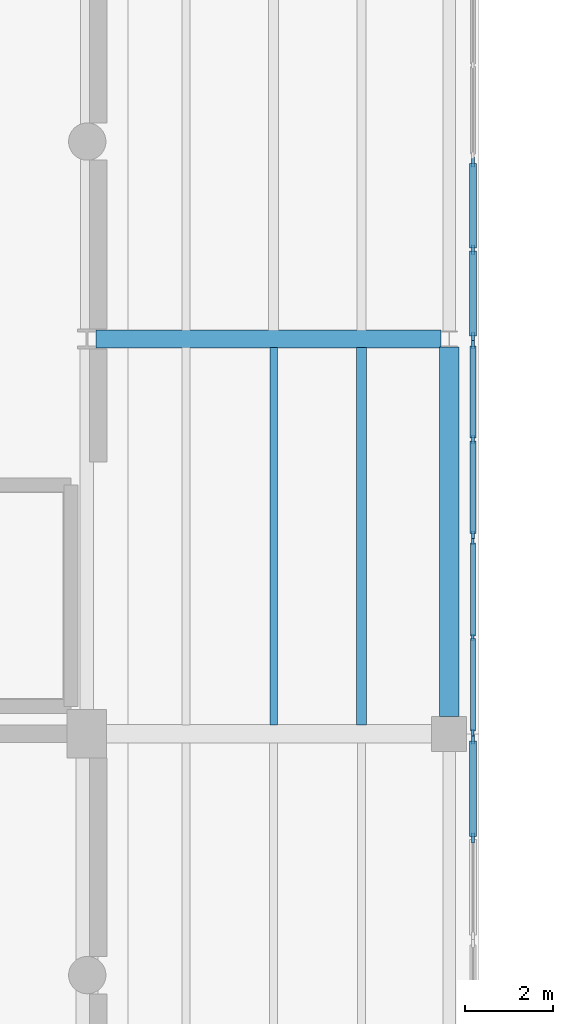
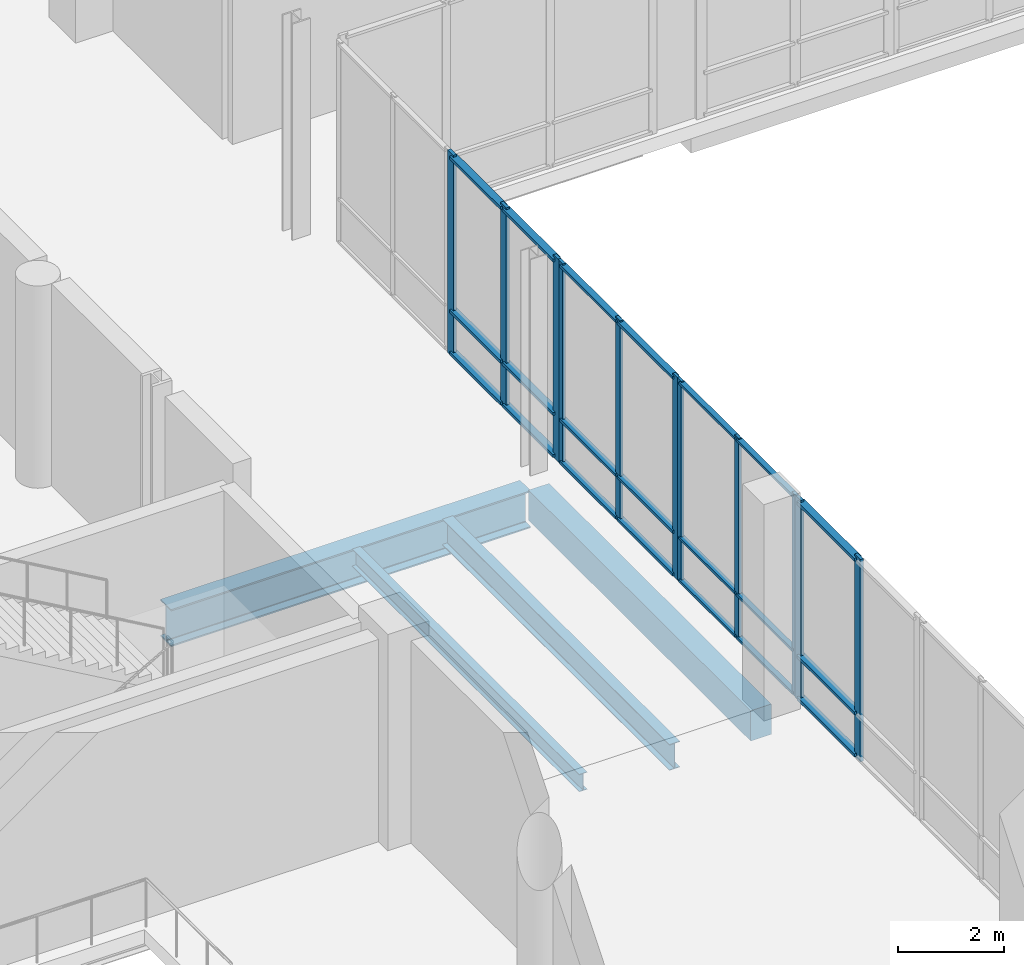
# One storey, part 38 of 81: 32 members, 4 beams, 4 elements without a shape of their own.
"""IFC4 building model written with IfcOpenShell, lengths in metres."""

from ifc_helpers import new_model, si_unit, direction, frame, origin, origin_2d, place, context, subcontext, project, spatial, rectangle, i_section, extrude, material, material_profile, profile_set, type_object, element, aggregate, save


model = new_model("IFC4")

# Units and contexts
model_context = context("Model", 3, precision=1e-05, world=origin(), true_north=direction((0.0, 1.0)))
body_context = subcontext(model_context, "Body", "Model", "MODEL_VIEW")
ifc_project = project(units=[si_unit("LENGTHUNIT", "METRE"), si_unit("AREAUNIT", "SQUARE_METRE"), si_unit("VOLUMEUNIT", "CUBIC_METRE"), si_unit("PLANEANGLEUNIT", "RADIAN"), si_unit("MASSUNIT", "GRAM", prefix="KILO")], contexts=[model_context])

# Site, building, storey
site_placement = place(None, origin())
site = spatial("IfcSite", under=ifc_project, at=site_placement, CompositionType="ELEMENT")
building_placement = place(site_placement, origin())
building = spatial("IfcBuilding", under=site, at=building_placement, Name="Trimount Lyric Opera House", CompositionType="ELEMENT")
storey_placement = place(building_placement, frame((0.0, 0.0, 5.0)))
storey = spatial("IfcBuildingStorey", under=building, at=storey_placement, Name="L01", CompositionType="ELEMENT", Elevation=5.0)

# Beams
ifc_material_1 = material(Name="Steel ASTM A992 Grade 50", Category="steel")
ifc_material_profile_1 = material_profile(ifc_material_1, i_section(OverallWidth=0.40087890625, OverallDepth=0.861083984375, WebThickness=0.019775390625, FlangeThickness=0.032470703125, FilletRadius=0.02001953125, at=origin_2d()), Name="W33X221")
ifc_profile_set_1 = profile_set([ifc_material_profile_1], Name="Steel ASTM A992 Grade 50")
beam_type_1 = type_object("IfcBeamType", Name="B-04", PredefinedType="BEAM", material=ifc_profile_set_1)
beam_1_placement = place(storey_placement, frame((113.950927734375, 93.0, -0.755615234375), z_axis=(1.0, 0.0, 0.0), x_axis=(0.0, 1.0, 0.0)))
element("IfcBeam", 1, at=beam_1_placement, inside=storey, type_object=beam_type_1, Name="L01 girder X-0546", PredefinedType="BEAM", context=body_context, shape_type="SweptSolid", body=[
    extrude(i_section(OverallWidth=0.40087890625, OverallDepth=0.861083984375, WebThickness=0.019775390625, FlangeThickness=0.032470703125, FilletRadius=0.02001953125, at=origin_2d()), origin(), (0.0, 0.0, 1.0), 7.862548828125),
])
ifc_material_2 = material(Name="Steel ASTM A992 Grade 50", Category="steel")
ifc_material_profile_2 = material_profile(ifc_material_2, i_section(OverallWidth=0.22802734375, OverallDepth=0.60205078125, WebThickness=0.010498046875, FlangeThickness=0.014892578125, FilletRadius=0.012939453125, at=origin_2d()), Name="W24X68")
ifc_profile_set_2 = profile_set([ifc_material_profile_2], Name="Steel ASTM A992 Grade 50")
beam_type_2 = type_object("IfcBeamType", Name="J-01", PredefinedType="BEAM", material=ifc_profile_set_2)
beam_2_placement = place(storey_placement, frame((120.0, 84.20556640625, -0.611083984375), z_axis=(0.0, 1.0, 0.0), x_axis=(-1.0, 0.0, 0.0)))
element("IfcBeam", 2, at=beam_2_placement, inside=storey, type_object=beam_type_2, Name="L01 composite floor joist 0709", PredefinedType="BEAM", context=body_context, shape_type="SweptSolid", body=[
    extrude(i_section(OverallWidth=0.22802734375, OverallDepth=0.60205078125, WebThickness=0.010498046875, FlangeThickness=0.014892578125, FilletRadius=0.012939453125, at=origin_2d()), origin(), (0.0, 0.0, 1.0), 8.597900390625),
])
ifc_material_3 = material(Name="Steel ASTM A992 Grade 50", Category="steel")
ifc_material_profile_3 = material_profile(ifc_material_3, i_section(OverallWidth=0.177978515625, OverallDepth=0.404052734375, WebThickness=0.007568359375, FlangeThickness=0.010986328125, FilletRadius=0.010009765625, at=origin_2d()), Name="W16X36")
ifc_profile_set_3 = profile_set([ifc_material_profile_3], Name="Steel ASTM A992 Grade 50")
beam_type_3 = type_object("IfcBeamType", Name="J-06", PredefinedType="BEAM", material=ifc_profile_set_3)
beam_3_placement = place(storey_placement, frame((118.0, 84.20556640625, -0.511962890625), z_axis=(0.0, 1.0, 0.0), x_axis=(-1.0, 0.0, 0.0)))
element("IfcBeam", 3, at=beam_3_placement, inside=storey, type_object=beam_type_3, Name="L01 composite floor joist 0708", PredefinedType="BEAM", context=body_context, shape_type="SweptSolid", body=[
    extrude(i_section(OverallWidth=0.177978515625, OverallDepth=0.404052734375, WebThickness=0.007568359375, FlangeThickness=0.010986328125, FilletRadius=0.010009765625, at=origin_2d()), origin(), (0.0, 0.0, 1.0), 8.597900390625),
])

# Curtain wall, members
ifc_material_4 = material(Name="Thermally Broken Aluminium and Low-E Glass", Category="aluminium")
curtain_wall_type = type_object("IfcCurtainWallType", Name="CW-03", PredefinedType="NOTDEFINED", material=ifc_material_4)
curtain_wall_1_placement = place(storey_placement, origin())
curtain_wall_1 = element("IfcCurtainWall", 4, at=curtain_wall_1_placement, inside=storey, type_object=curtain_wall_type, Name="L01 curtain wall 138", PredefinedType="NOTDEFINED")
ifc_material_5 = material(Name="Anodised Aluminium 6063-T6", Category="aluminium")
ifc_material_profile_4 = material_profile(ifc_material_5, rectangle(XDim=0.070068359375, YDim=0.219970703125, at=origin_2d()), Name="ALU-MULL-70X220")
ifc_profile_set_4 = profile_set([ifc_material_profile_4], Name="Anodised Aluminium 6063-T6")
member_type_1 = type_object("IfcMemberType", Name="ML-01", PredefinedType="MULLION", material=ifc_profile_set_4)
member_1_placement = place(storey_placement, frame((122.5400390625, 97.034912109375, 0.0), z_axis=(0.0, 0.0, 1.0), x_axis=(1.0, 0.0, 0.0)))
member_1 = element("IfcMember", 5, at=member_1_placement, type_object=member_type_1, Name="CW-03 mullion 1", PredefinedType="MULLION", context=body_context, shape_type="SweptSolid", body=[
    extrude(rectangle(XDim=0.070068359375, YDim=0.219970703125, at=origin_2d()), origin(), (0.0, 0.0, 1.0), 4.679931640625),
])
member_2_placement = place(storey_placement, frame((122.5400390625, 95.034912109375, 0.0), z_axis=(0.0, 0.0, 1.0), x_axis=(1.0, 0.0, 0.0)))
member_2 = element("IfcMember", 6, at=member_2_placement, type_object=member_type_1, Name="CW-03 mullion 2", PredefinedType="MULLION", context=body_context, shape_type="SweptSolid", body=[
    extrude(rectangle(XDim=0.070068359375, YDim=0.219970703125, at=origin_2d()), origin(), (0.0, 0.0, 1.0), 4.679931640625),
])
member_3_placement = place(storey_placement, frame((122.5400390625, 93.034912109375, 0.0), z_axis=(0.0, 0.0, 1.0), x_axis=(1.0, 0.0, 0.0)))
member_3 = element("IfcMember", 7, at=member_3_placement, type_object=member_type_1, Name="CW-03 mullion 3", PredefinedType="MULLION", context=body_context, shape_type="SweptSolid", body=[
    extrude(rectangle(XDim=0.070068359375, YDim=0.219970703125, at=origin_2d()), origin(), (0.0, 0.0, 1.0), 4.679931640625),
])

curtain_wall_2_placement = place(storey_placement, origin())
curtain_wall_2 = element("IfcCurtainWall", 8, at=curtain_wall_2_placement, inside=storey, type_object=curtain_wall_type, Name="L01 curtain wall 141", PredefinedType="NOTDEFINED")
member_4_placement = place(storey_placement, frame((122.5400390625, 83.875, 0.0), z_axis=(0.0, 0.0, 1.0), x_axis=(1.0, 0.0, 0.0)))
member_4 = element("IfcMember", 9, at=member_4_placement, type_object=member_type_1, Name="CW-03 mullion 1", PredefinedType="MULLION", context=body_context, shape_type="SweptSolid", body=[
    extrude(rectangle(XDim=0.070068359375, YDim=0.219970703125, at=origin_2d()), origin(), (0.0, 0.0, 1.0), 4.679931640625),
])
member_5_placement = place(storey_placement, frame((122.5400390625, 81.625, 0.0), z_axis=(0.0, 0.0, 1.0), x_axis=(1.0, 0.0, 0.0)))
member_5 = element("IfcMember", 10, at=member_5_placement, type_object=member_type_1, Name="CW-03 mullion 2", PredefinedType="MULLION", context=body_context, shape_type="SweptSolid", body=[
    extrude(rectangle(XDim=0.070068359375, YDim=0.219970703125, at=origin_2d()), origin(), (0.0, 0.0, 1.0), 4.679931640625),
])

curtain_wall_3_placement = place(storey_placement, origin())
curtain_wall_3 = element("IfcCurtainWall", 11, at=curtain_wall_3_placement, inside=storey, type_object=curtain_wall_type, Name="L01 curtain wall 139", PredefinedType="NOTDEFINED")
ifc_material_6 = material(Name="Anodised Aluminium 6063-T6", Category="aluminium")
ifc_material_profile_5 = material_profile(ifc_material_6, rectangle(XDim=0.06494140625, YDim=0.179931640625, at=origin_2d()), Name="ALU-MULL-65X180")
ifc_profile_set_5 = profile_set([ifc_material_profile_5], Name="Anodised Aluminium 6063-T6")
member_type_2 = type_object("IfcMemberType", Name="ML-02", PredefinedType="MULLION", material=ifc_profile_set_5)
member_6_placement = place(storey_placement, frame((122.5400390625, 92.87744140625, 0.0), z_axis=(0.0, 0.0, 1.0), x_axis=(1.0, 0.0, 0.0)))
member_6 = element("IfcMember", 12, at=member_6_placement, type_object=member_type_2, Name="CW-03 mullion 1", PredefinedType="MULLION", context=body_context, shape_type="SweptSolid", body=[
    extrude(rectangle(XDim=0.06494140625, YDim=0.179931640625, at=origin_2d()), origin(), (0.0, 0.0, 1.0), 4.679931640625),
])
member_7_placement = place(storey_placement, frame((122.5400390625, 90.705078125, 0.0), z_axis=(0.0, 0.0, 1.0), x_axis=(1.0, 0.0, 0.0)))
member_7 = element("IfcMember", 13, at=member_7_placement, type_object=member_type_2, Name="CW-03 mullion 2", PredefinedType="MULLION", context=body_context, shape_type="SweptSolid", body=[
    extrude(rectangle(XDim=0.06494140625, YDim=0.179931640625, at=origin_2d()), origin(), (0.0, 0.0, 1.0), 4.679931640625),
])
member_8_placement = place(storey_placement, frame((122.5400390625, 88.532470703125, 0.0), z_axis=(0.0, 0.0, 1.0), x_axis=(1.0, 0.0, 0.0)))
member_8 = element("IfcMember", 14, at=member_8_placement, type_object=member_type_2, Name="CW-03 mullion 3", PredefinedType="MULLION", context=body_context, shape_type="SweptSolid", body=[
    extrude(rectangle(XDim=0.06494140625, YDim=0.179931640625, at=origin_2d()), origin(), (0.0, 0.0, 1.0), 4.679931640625),
])

curtain_wall_4_placement = place(storey_placement, origin())
curtain_wall_4 = element("IfcCurtainWall", 15, at=curtain_wall_4_placement, inside=storey, type_object=curtain_wall_type, Name="L01 curtain wall 140", PredefinedType="NOTDEFINED")
ifc_material_7 = material(Name="Anodised Aluminium 6063-T6", Category="aluminium")
ifc_material_profile_6 = material_profile(ifc_material_7, rectangle(XDim=0.06005859375, YDim=0.14990234375, at=origin_2d()), Name="ALU-MULL-60X150")
ifc_profile_set_6 = profile_set([ifc_material_profile_6], Name="Anodised Aluminium 6063-T6")
member_type_3 = type_object("IfcMemberType", Name="ML-03", PredefinedType="MULLION", material=ifc_profile_set_6)
member_9_placement = place(storey_placement, frame((122.5400390625, 88.3798828125, 0.0), z_axis=(0.0, 0.0, 1.0), x_axis=(1.0, 0.0, 0.0)))
member_9 = element("IfcMember", 16, at=member_9_placement, type_object=member_type_3, Name="CW-03 mullion 1", PredefinedType="MULLION", context=body_context, shape_type="SweptSolid", body=[
    extrude(rectangle(XDim=0.06005859375, YDim=0.14990234375, at=origin_2d()), origin(), (0.0, 0.0, 1.0), 4.679931640625),
])
member_10_placement = place(storey_placement, frame((122.5400390625, 86.205078125, 0.0), z_axis=(0.0, 0.0, 1.0), x_axis=(1.0, 0.0, 0.0)))
member_10 = element("IfcMember", 17, at=member_10_placement, type_object=member_type_3, Name="CW-03 mullion 2", PredefinedType="MULLION", context=body_context, shape_type="SweptSolid", body=[
    extrude(rectangle(XDim=0.06005859375, YDim=0.14990234375, at=origin_2d()), origin(), (0.0, 0.0, 1.0), 4.679931640625),
])
member_11_placement = place(storey_placement, frame((122.5400390625, 84.030029296875, 0.0), z_axis=(0.0, 0.0, 1.0), x_axis=(1.0, 0.0, 0.0)))
member_11 = element("IfcMember", 18, at=member_11_placement, type_object=member_type_3, Name="CW-03 mullion 3", PredefinedType="MULLION", context=body_context, shape_type="SweptSolid", body=[
    extrude(rectangle(XDim=0.06005859375, YDim=0.14990234375, at=origin_2d()), origin(), (0.0, 0.0, 1.0), 4.679931640625),
])

# Beam
ifc_material_8 = material(Name="Concrete C40/50", Category="concrete")
ifc_material_profile_7 = material_profile(ifc_material_8, rectangle(XDim=0.449951171875, YDim=0.699951171875, at=origin_2d()), Name="RC450X700")
ifc_profile_set_7 = profile_set([ifc_material_profile_7], Name="Concrete C40/50")
beam_type_4 = type_object("IfcBeamType", Name="SP-02", PredefinedType="SPANDREL", material=ifc_profile_set_7)
beam_4_placement = place(storey_placement, frame((122.0, 84.39990234375, -0.659912109375), z_axis=(0.0, 1.0, 0.0), x_axis=(-1.0, 0.0, 0.0)))
element("IfcBeam", 19, at=beam_4_placement, inside=storey, type_object=beam_type_4, Name="L01 girder Y-0674", PredefinedType="SPANDREL", context=body_context, shape_type="SweptSolid", body=[
    extrude(rectangle(XDim=0.449951171875, YDim=0.699951171875, at=origin_2d()), origin(), (0.0, 0.0, 1.0), 8.416015625),
])

# Member
ifc_material_9 = material(Name="Anodised Aluminium 6063-T6", Category="aluminium")
ifc_material_profile_8 = material_profile(ifc_material_9, rectangle(XDim=0.159912109375, YDim=0.070068359375, at=origin_2d()), Name="ALU-TRAN-70X160")
ifc_profile_set_8 = profile_set([ifc_material_profile_8], Name="Anodised Aluminium 6063-T6")
member_type_4 = type_object("IfcMemberType", Name="TR-01", PredefinedType="USERDEFINED", material=ifc_profile_set_8)
member_12_placement = place(storey_placement, frame((122.5400390625, 97.0, 0.080078125), z_axis=(0.0, -1.0, 0.0), x_axis=(1.0, 0.0, 0.0)))
member_12 = element("IfcMember", 20, at=member_12_placement, type_object=member_type_4, Name="CW-03 transom 1.1", ObjectType="TRANSOM", PredefinedType="USERDEFINED", context=body_context, shape_type="SweptSolid", body=[
    extrude(rectangle(XDim=0.159912109375, YDim=0.070068359375, at=origin_2d()), origin(), (0.0, 0.0, 1.0), 1.929931640625),
])

member_13_placement = place(storey_placement, frame((122.5400390625, 97.0, 1.050048828125), z_axis=(0.0, -1.0, 0.0), x_axis=(1.0, 0.0, 0.0)))
member_13 = element("IfcMember", 21, at=member_13_placement, type_object=member_type_4, Name="CW-03 transom 1.2", ObjectType="TRANSOM", PredefinedType="USERDEFINED", context=body_context, shape_type="SweptSolid", body=[
    extrude(rectangle(XDim=0.159912109375, YDim=0.070068359375, at=origin_2d()), origin(), (0.0, 0.0, 1.0), 1.929931640625),
])

member_14_placement = place(storey_placement, frame((122.5400390625, 97.0, 4.60009765625), z_axis=(0.0, -1.0, 0.0), x_axis=(1.0, 0.0, 0.0)))
member_14 = element("IfcMember", 22, at=member_14_placement, type_object=member_type_4, Name="CW-03 transom 1.3", ObjectType="TRANSOM", PredefinedType="USERDEFINED", context=body_context, shape_type="SweptSolid", body=[
    extrude(rectangle(XDim=0.159912109375, YDim=0.070068359375, at=origin_2d()), origin(), (0.0, 0.0, 1.0), 1.929931640625),
])

member_15_placement = place(storey_placement, frame((122.5400390625, 95.0, 0.080078125), z_axis=(0.0, -1.0, 0.0), x_axis=(1.0, 0.0, 0.0)))
member_15 = element("IfcMember", 23, at=member_15_placement, type_object=member_type_4, Name="CW-03 transom 2.1", ObjectType="TRANSOM", PredefinedType="USERDEFINED", context=body_context, shape_type="SweptSolid", body=[
    extrude(rectangle(XDim=0.159912109375, YDim=0.070068359375, at=origin_2d()), origin(), (0.0, 0.0, 1.0), 1.929931640625),
])

member_16_placement = place(storey_placement, frame((122.5400390625, 95.0, 1.050048828125), z_axis=(0.0, -1.0, 0.0), x_axis=(1.0, 0.0, 0.0)))
member_16 = element("IfcMember", 24, at=member_16_placement, type_object=member_type_4, Name="CW-03 transom 2.2", ObjectType="TRANSOM", PredefinedType="USERDEFINED", context=body_context, shape_type="SweptSolid", body=[
    extrude(rectangle(XDim=0.159912109375, YDim=0.070068359375, at=origin_2d()), origin(), (0.0, 0.0, 1.0), 1.929931640625),
])

member_17_placement = place(storey_placement, frame((122.5400390625, 95.0, 4.60009765625), z_axis=(0.0, -1.0, 0.0), x_axis=(1.0, 0.0, 0.0)))
member_17 = element("IfcMember", 25, at=member_17_placement, type_object=member_type_4, Name="CW-03 transom 2.3", ObjectType="TRANSOM", PredefinedType="USERDEFINED", context=body_context, shape_type="SweptSolid", body=[
    extrude(rectangle(XDim=0.159912109375, YDim=0.070068359375, at=origin_2d()), origin(), (0.0, 0.0, 1.0), 1.929931640625),
])

aggregate(curtain_wall_1, [member_1, member_2, member_3, member_12, member_13, member_14, member_15, member_16, member_17])

member_18_placement = place(storey_placement, frame((122.5400390625, 83.840087890625, 0.080078125), z_axis=(0.0, -1.0, 0.0), x_axis=(1.0, 0.0, 0.0)))
member_18 = element("IfcMember", 26, at=member_18_placement, type_object=member_type_4, Name="CW-03 transom 1.1", ObjectType="TRANSOM", PredefinedType="USERDEFINED", context=body_context, shape_type="SweptSolid", body=[
    extrude(rectangle(XDim=0.159912109375, YDim=0.070068359375, at=origin_2d()), origin(), (0.0, 0.0, 1.0), 2.18017578125),
])

member_19_placement = place(storey_placement, frame((122.5400390625, 83.840087890625, 1.050048828125), z_axis=(0.0, -1.0, 0.0), x_axis=(1.0, 0.0, 0.0)))
member_19 = element("IfcMember", 27, at=member_19_placement, type_object=member_type_4, Name="CW-03 transom 1.2", ObjectType="TRANSOM", PredefinedType="USERDEFINED", context=body_context, shape_type="SweptSolid", body=[
    extrude(rectangle(XDim=0.159912109375, YDim=0.070068359375, at=origin_2d()), origin(), (0.0, 0.0, 1.0), 2.18017578125),
])

member_20_placement = place(storey_placement, frame((122.5400390625, 83.840087890625, 4.60009765625), z_axis=(0.0, -1.0, 0.0), x_axis=(1.0, 0.0, 0.0)))
member_20 = element("IfcMember", 28, at=member_20_placement, type_object=member_type_4, Name="CW-03 transom 1.3", ObjectType="TRANSOM", PredefinedType="USERDEFINED", context=body_context, shape_type="SweptSolid", body=[
    extrude(rectangle(XDim=0.159912109375, YDim=0.070068359375, at=origin_2d()), origin(), (0.0, 0.0, 1.0), 2.18017578125),
])

aggregate(curtain_wall_2, [member_4, member_5, member_18, member_19, member_20])

ifc_material_10 = material(Name="Anodised Aluminium 6063-T6", Category="aluminium")
ifc_material_profile_9 = material_profile(ifc_material_10, rectangle(XDim=0.135009765625, YDim=0.06494140625, at=origin_2d()), Name="ALU-TRAN-65X135")
ifc_profile_set_9 = profile_set([ifc_material_profile_9], Name="Anodised Aluminium 6063-T6")
member_type_5 = type_object("IfcMemberType", Name="TR-02", PredefinedType="USERDEFINED", material=ifc_profile_set_9)
member_21_placement = place(storey_placement, frame((122.5400390625, 92.844970703125, 0.0673828125), z_axis=(0.0, -1.0, 0.0), x_axis=(1.0, 0.0, 0.0)))
member_21 = element("IfcMember", 29, at=member_21_placement, type_object=member_type_5, Name="CW-03 transom 1.1", ObjectType="TRANSOM", PredefinedType="USERDEFINED", context=body_context, shape_type="SweptSolid", body=[
    extrude(rectangle(XDim=0.135009765625, YDim=0.06494140625, at=origin_2d()), origin(), (0.0, 0.0, 1.0), 2.107421875),
])

member_22_placement = place(storey_placement, frame((122.5400390625, 92.844970703125, 1.050048828125), z_axis=(0.0, -1.0, 0.0), x_axis=(1.0, 0.0, 0.0)))
member_22 = element("IfcMember", 30, at=member_22_placement, type_object=member_type_5, Name="CW-03 transom 1.2", ObjectType="TRANSOM", PredefinedType="USERDEFINED", context=body_context, shape_type="SweptSolid", body=[
    extrude(rectangle(XDim=0.135009765625, YDim=0.06494140625, at=origin_2d()), origin(), (0.0, 0.0, 1.0), 2.107421875),
])

member_23_placement = place(storey_placement, frame((122.5400390625, 92.844970703125, 4.612548828125), z_axis=(0.0, -1.0, 0.0), x_axis=(1.0, 0.0, 0.0)))
member_23 = element("IfcMember", 31, at=member_23_placement, type_object=member_type_5, Name="CW-03 transom 1.3", ObjectType="TRANSOM", PredefinedType="USERDEFINED", context=body_context, shape_type="SweptSolid", body=[
    extrude(rectangle(XDim=0.135009765625, YDim=0.06494140625, at=origin_2d()), origin(), (0.0, 0.0, 1.0), 2.107421875),
])

member_24_placement = place(storey_placement, frame((122.5400390625, 90.672607421875, 0.0673828125), z_axis=(0.0, -1.0, 0.0), x_axis=(1.0, 0.0, 0.0)))
member_24 = element("IfcMember", 32, at=member_24_placement, type_object=member_type_5, Name="CW-03 transom 2.1", ObjectType="TRANSOM", PredefinedType="USERDEFINED", context=body_context, shape_type="SweptSolid", body=[
    extrude(rectangle(XDim=0.135009765625, YDim=0.06494140625, at=origin_2d()), origin(), (0.0, 0.0, 1.0), 2.107666015625),
])

member_25_placement = place(storey_placement, frame((122.5400390625, 90.672607421875, 1.050048828125), z_axis=(0.0, -1.0, 0.0), x_axis=(1.0, 0.0, 0.0)))
member_25 = element("IfcMember", 33, at=member_25_placement, type_object=member_type_5, Name="CW-03 transom 2.2", ObjectType="TRANSOM", PredefinedType="USERDEFINED", context=body_context, shape_type="SweptSolid", body=[
    extrude(rectangle(XDim=0.135009765625, YDim=0.06494140625, at=origin_2d()), origin(), (0.0, 0.0, 1.0), 2.107666015625),
])

member_26_placement = place(storey_placement, frame((122.5400390625, 90.672607421875, 4.612548828125), z_axis=(0.0, -1.0, 0.0), x_axis=(1.0, 0.0, 0.0)))
member_26 = element("IfcMember", 34, at=member_26_placement, type_object=member_type_5, Name="CW-03 transom 2.3", ObjectType="TRANSOM", PredefinedType="USERDEFINED", context=body_context, shape_type="SweptSolid", body=[
    extrude(rectangle(XDim=0.135009765625, YDim=0.06494140625, at=origin_2d()), origin(), (0.0, 0.0, 1.0), 2.107666015625),
])

aggregate(curtain_wall_3, [member_6, member_7, member_8, member_21, member_22, member_23, member_24, member_25, member_26])

ifc_material_11 = material(Name="Anodised Aluminium 6063-T6", Category="aluminium")
ifc_material_profile_10 = material_profile(ifc_material_11, rectangle(XDim=0.114990234375, YDim=0.06005859375, at=origin_2d()), Name="ALU-TRAN-60X115")
ifc_profile_set_10 = profile_set([ifc_material_profile_10], Name="Anodised Aluminium 6063-T6")
member_type_6 = type_object("IfcMemberType", Name="TR-03", PredefinedType="USERDEFINED", material=ifc_profile_set_10)
member_27_placement = place(storey_placement, frame((122.5400390625, 88.35009765625, 0.0576171875), z_axis=(0.0, -1.0, 0.0), x_axis=(1.0, 0.0, 0.0)))
member_27 = element("IfcMember", 35, at=member_27_placement, type_object=member_type_6, Name="CW-03 transom 1.1", ObjectType="TRANSOM", PredefinedType="USERDEFINED", context=body_context, shape_type="SweptSolid", body=[
    extrude(rectangle(XDim=0.114990234375, YDim=0.06005859375, at=origin_2d()), origin(), (0.0, 0.0, 1.0), 2.114990234375),
])

member_28_placement = place(storey_placement, frame((122.5400390625, 88.35009765625, 1.050048828125), z_axis=(0.0, -1.0, 0.0), x_axis=(1.0, 0.0, 0.0)))
member_28 = element("IfcMember", 36, at=member_28_placement, type_object=member_type_6, Name="CW-03 transom 1.2", ObjectType="TRANSOM", PredefinedType="USERDEFINED", context=body_context, shape_type="SweptSolid", body=[
    extrude(rectangle(XDim=0.114990234375, YDim=0.06005859375, at=origin_2d()), origin(), (0.0, 0.0, 1.0), 2.114990234375),
])

member_29_placement = place(storey_placement, frame((122.5400390625, 88.35009765625, 4.62255859375), z_axis=(0.0, -1.0, 0.0), x_axis=(1.0, 0.0, 0.0)))
member_29 = element("IfcMember", 37, at=member_29_placement, type_object=member_type_6, Name="CW-03 transom 1.3", ObjectType="TRANSOM", PredefinedType="USERDEFINED", context=body_context, shape_type="SweptSolid", body=[
    extrude(rectangle(XDim=0.114990234375, YDim=0.06005859375, at=origin_2d()), origin(), (0.0, 0.0, 1.0), 2.114990234375),
])

member_30_placement = place(storey_placement, frame((122.5400390625, 86.175048828125, 0.0576171875), z_axis=(0.0, -1.0, 0.0), x_axis=(1.0, 0.0, 0.0)))
member_30 = element("IfcMember", 38, at=member_30_placement, type_object=member_type_6, Name="CW-03 transom 2.1", ObjectType="TRANSOM", PredefinedType="USERDEFINED", context=body_context, shape_type="SweptSolid", body=[
    extrude(rectangle(XDim=0.114990234375, YDim=0.06005859375, at=origin_2d()), origin(), (0.0, 0.0, 1.0), 2.114990234375),
])

member_31_placement = place(storey_placement, frame((122.5400390625, 86.175048828125, 1.050048828125), z_axis=(0.0, -1.0, 0.0), x_axis=(1.0, 0.0, 0.0)))
member_31 = element("IfcMember", 39, at=member_31_placement, type_object=member_type_6, Name="CW-03 transom 2.2", ObjectType="TRANSOM", PredefinedType="USERDEFINED", context=body_context, shape_type="SweptSolid", body=[
    extrude(rectangle(XDim=0.114990234375, YDim=0.06005859375, at=origin_2d()), origin(), (0.0, 0.0, 1.0), 2.114990234375),
])

member_32_placement = place(storey_placement, frame((122.5400390625, 86.175048828125, 4.62255859375), z_axis=(0.0, -1.0, 0.0), x_axis=(1.0, 0.0, 0.0)))
member_32 = element("IfcMember", 40, at=member_32_placement, type_object=member_type_6, Name="CW-03 transom 2.3", ObjectType="TRANSOM", PredefinedType="USERDEFINED", context=body_context, shape_type="SweptSolid", body=[
    extrude(rectangle(XDim=0.114990234375, YDim=0.06005859375, at=origin_2d()), origin(), (0.0, 0.0, 1.0), 2.114990234375),
])

aggregate(curtain_wall_4, [member_9, member_10, member_11, member_27, member_28, member_29, member_30, member_31, member_32])

save(model, "model.ifc")
